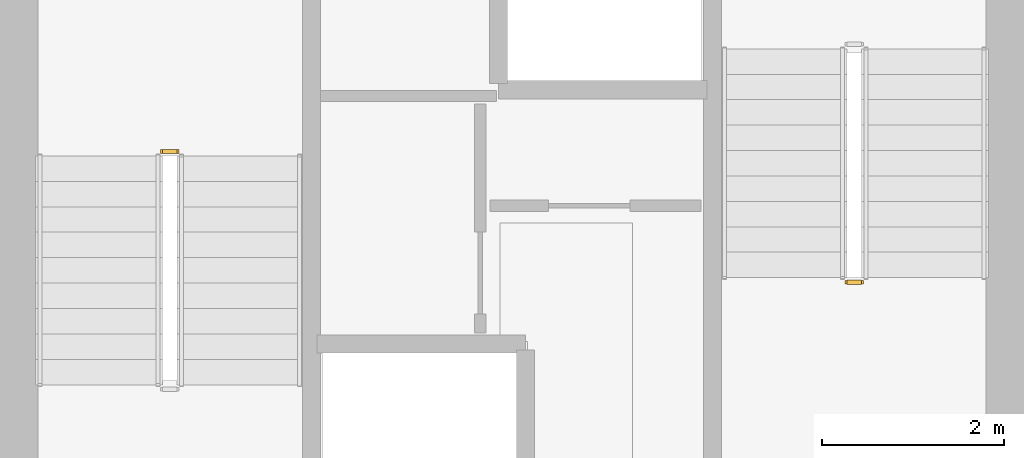
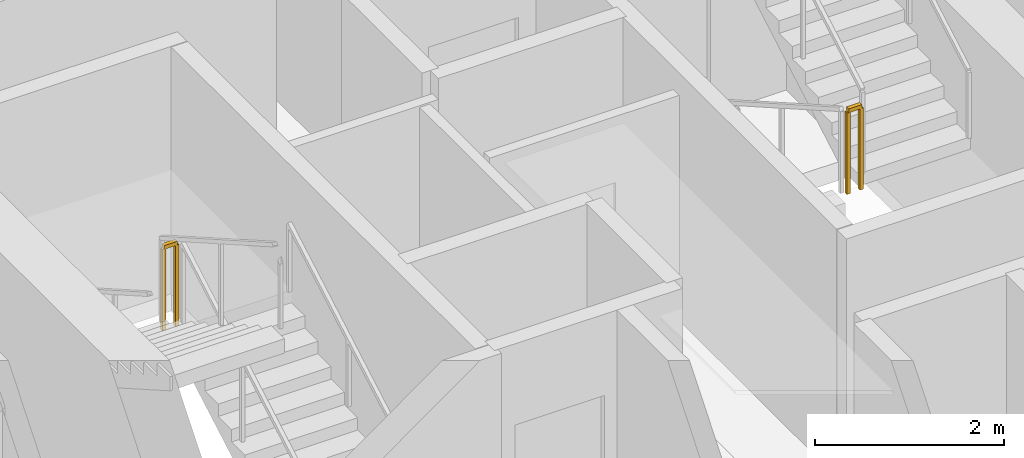
# One storey, part 13 of 15: 2 railings.
"""IFC4 building model written with IfcOpenShell, lengths in metres."""

from ifc_helpers import new_model, si_unit, direction, frame, origin, origin_2d, place, context, subcontext, project, spatial, rectangle, extrude, material, type_object, element, save


model = new_model("IFC4")

# Units and contexts
model_context = context("Model", 3, precision=1e-05, world=origin(), true_north=direction((0.0, 1.0)))
body_context = subcontext(model_context, "Body", "Model", "MODEL_VIEW")
ifc_project = project(units=[si_unit("LENGTHUNIT", "METRE"), si_unit("AREAUNIT", "SQUARE_METRE"), si_unit("VOLUMEUNIT", "CUBIC_METRE"), si_unit("PLANEANGLEUNIT", "RADIAN"), si_unit("MASSUNIT", "GRAM", prefix="KILO")], contexts=[model_context])

# Site, building, storey
site_placement = place(None, origin())
site = spatial("IfcSite", under=ifc_project, at=site_placement, CompositionType="ELEMENT")
building_placement = place(site_placement, origin())
building = spatial("IfcBuilding", under=site, at=building_placement, Name="Veldorim Arch Residences", CompositionType="ELEMENT")
storey_placement = place(building_placement, frame((0.0, 0.0, 106.080078125)))
storey = spatial("IfcBuildingStorey", under=building, at=storey_placement, Name="L31", CompositionType="ELEMENT", Elevation=106.080078125)

# Railings
ifc_material = material(Name="Steel S355", Category="steel")
railing_type = type_object("IfcRailingType", Name="Galvanised Steel Stair Safety Guardrail 1100", PredefinedType="GUARDRAIL", material=ifc_material)
railing_1_placement = place(storey_placement, frame((28.31005859375, 24.719970703125, 1.599853515625)))
element("IfcRailing", 1, at=railing_1_placement, inside=storey, type_object=railing_type, Name="L31 ST-1 stair guard 2", PredefinedType="GUARDRAIL", context=body_context, shape_type="SweptSolid", body=[
    extrude(rectangle(XDim=0.048095703125, YDim=0.048095703125, at=origin_2d()), frame((0.0, 0.0, 1.076171875), z_axis=(-1.0, 0.0, 0.0), x_axis=(0.0, -1.0, 0.0)), (0.0, 0.0, 1.0), 0.16015625),
    extrude(rectangle(XDim=0.0419921875, YDim=0.0419921875, at=origin_2d()), origin(), (0.0, 0.0, 1.0), 1.052001953125),
    extrude(rectangle(XDim=0.0419921875, YDim=0.0419921875, at=origin_2d()), frame((-0.16015625, 0.0, 0.0)), (0.0, 0.0, 1.0), 1.052001953125),
])
railing_2_placement = place(storey_placement, frame((35.68994140625, 23.280029296875, 1.599853515625)))
element("IfcRailing", 2, at=railing_2_placement, inside=storey, type_object=railing_type, Name="L31 ST-2 stair guard 2", PredefinedType="GUARDRAIL", context=body_context, shape_type="SweptSolid", body=[
    extrude(rectangle(XDim=0.048095703125, YDim=0.048095703125, at=origin_2d()), frame((0.0, 0.0, 1.076171875), z_axis=(1.0, 0.0, 0.0), x_axis=(0.0, 1.0, 0.0)), (0.0, 0.0, 1.0), 0.16015625),
    extrude(rectangle(XDim=0.0419921875, YDim=0.0419921875, at=origin_2d()), origin(), (0.0, 0.0, 1.0), 1.052001953125),
    extrude(rectangle(XDim=0.0419921875, YDim=0.0419921875, at=origin_2d()), frame((0.16015625, 0.0, 0.0)), (0.0, 0.0, 1.0), 1.052001953125),
])

save(model, "model.ifc")
